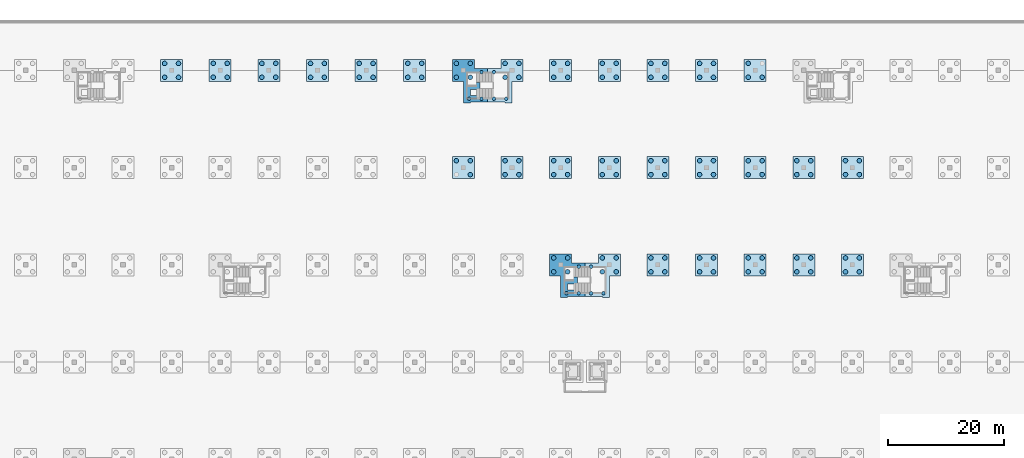
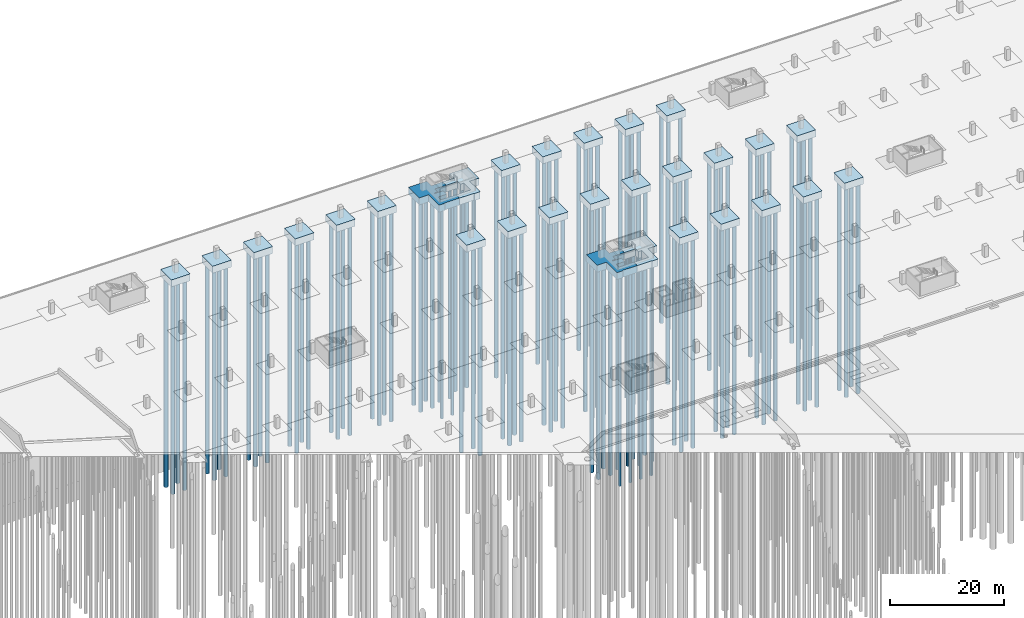
# One storey, part 23 of 67: 126 piles, 29 footings.
"""IFC4 building model written with IfcOpenShell, lengths in metres."""

from ifc_helpers import new_model, si_unit, direction, frame, origin, origin_2d, place, context, subcontext, project, spatial, polyline, circle, outline, extrude, material, material_profile, profile_set, type_object, element, save


model = new_model("IFC4")

# Units and contexts
model_context = context("Model", 3, precision=1e-05, world=origin(), true_north=direction((0.0, 1.0)))
body_context = subcontext(model_context, "Body", "Model", "MODEL_VIEW")
ifc_project = project(units=[si_unit("LENGTHUNIT", "METRE"), si_unit("AREAUNIT", "SQUARE_METRE"), si_unit("VOLUMEUNIT", "CUBIC_METRE"), si_unit("PLANEANGLEUNIT", "RADIAN"), si_unit("MASSUNIT", "GRAM", prefix="KILO")], contexts=[model_context])

# Site, building, storey
site_placement = place(None, origin())
site = spatial("IfcSite", under=ifc_project, at=site_placement, CompositionType="ELEMENT")
building_placement = place(site_placement, origin())
building = spatial("IfcBuilding", under=site, at=building_placement, Name="Rain Tree Exposition and Congress Centre", CompositionType="ELEMENT")
storey_placement = place(building_placement, frame((0.0, 0.0, -3.0)))
storey = spatial("IfcBuildingStorey", under=building, at=storey_placement, Name="B1", CompositionType="ELEMENT", Elevation=-3.0)

# Piles
ifc_material_1 = material(Name="Concrete C35/45", Category="concrete")
ifc_material_profile_1 = material_profile(ifc_material_1, circle(Radius=0.300048828125, at=origin_2d()), Name="D600")
ifc_profile_set_1 = profile_set([ifc_material_profile_1], Name="Concrete C35/45")
pile_type_1 = type_object("IfcPileType", Name="Bored pile D600", PredefinedType="BORED", material=ifc_profile_set_1)
for number, where, z_axis, x_axis, name in (
    (1, (127.0, 247.10009765625, -1.425048828125), (0.0, 0.0, -1.0), (1.0, 0.0, 0.0), "Bored pile 0845"),
    (2, (129.13330078125, 247.10009765625, -1.425048828125), (0.0, 0.0, -1.0), (1.0, 0.0, 0.0), "Bored pile 0848"),
    (3, (129.13330078125, 251.699951171875, -1.425048828125), (0.0, 0.0, -1.0), (1.0, 0.0, 0.0), "Bored pile 0849"),
    (4, (131.2666015625, 247.10009765625, -1.425048828125), (0.0, 0.0, -1.0), (1.0, 0.0, 0.0), "Bored pile 0850"),
    (5, (131.2666015625, 251.699951171875, -1.425048828125), (0.0, 0.0, -1.0), (1.0, 0.0, 0.0), "Bored pile 0851"),
    (6, (133.39990234375, 247.10009765625, -1.425048828125), (0.0, 0.0, -1.0), (1.0, 0.0, 0.0), "Bored pile 0854"),
    (7, (110.199951171875, 280.699951171875, -1.425048828125), (0.0, 0.0, -1.0), (1.0, 0.0, 0.0), "Bored pile 0879"),
    (8, (112.333251953125, 280.699951171875, -1.425048828125), (0.0, 0.0, -1.0), (1.0, 0.0, 0.0), "Bored pile 0882"),
    (9, (112.333251953125, 285.300048828125, -1.425048828125), (0.0, 0.0, -1.0), (1.0, 0.0, 0.0), "Bored pile 0883"),
    (10, (114.466796875, 280.699951171875, -1.425048828125), (0.0, 0.0, -1.0), (1.0, 0.0, 0.0), "Bored pile 0884"),
    (11, (114.466796875, 285.300048828125, -1.425048828125), (0.0, 0.0, -1.0), (1.0, 0.0, 0.0), "Bored pile 0885"),
    (12, (116.60009765625, 280.699951171875, -1.425048828125), (0.0, 0.0, -1.0), (1.0, 0.0, 0.0), "Bored pile 0888"),
):
    element("IfcPile", number, at=place(storey_placement, frame(where, z_axis=z_axis, x_axis=x_axis)), inside=storey, type_object=pile_type_1, Name=name, PredefinedType="BORED", context=body_context, shape_type="SweptSolid", body=[
        extrude(circle(Radius=0.300048828125, at=origin_2d()), origin(), (0.0, 0.0, 1.0), 45.074951171875),
    ])
ifc_material_2 = material(Name="Concrete C35/45", Category="concrete")
ifc_material_profile_2 = material_profile(ifc_material_2, circle(Radius=0.39990234375, at=origin_2d()), Name="D800")
ifc_profile_set_2 = profile_set([ifc_material_profile_2], Name="Concrete C35/45")
pile_type_2 = type_object("IfcPileType", Name="Bored pile D800", PredefinedType="BORED", material=ifc_profile_set_2)
for number, where, z_axis, x_axis, name in (
    (13, (57.60009765625, 284.39990234375, -1.425048828125), (0.0, 0.0, -1.0), (1.0, 0.0, 0.0), "Bored pile 0529"),
    (14, (60.0, 284.39990234375, -1.425048828125), (0.0, 0.0, -1.0), (1.0, 0.0, 0.0), "Bored pile 0530"),
    (15, (57.60009765625, 286.800048828125, -1.425048828125), (0.0, 0.0, -1.0), (1.0, 0.0, 0.0), "Bored pile 0531"),
    (16, (60.0, 286.800048828125, -1.425048828125), (0.0, 0.0, -1.0), (1.0, 0.0, 0.0), "Bored pile 0532"),
    (17, (66.0, 284.39990234375, -1.425048828125), (0.0, 0.0, -1.0), (1.0, 0.0, 0.0), "Bored pile 0533"),
    (18, (68.39990234375, 284.39990234375, -1.425048828125), (0.0, 0.0, -1.0), (1.0, 0.0, 0.0), "Bored pile 0534"),
    (19, (66.0, 286.800048828125, -1.425048828125), (0.0, 0.0, -1.0), (1.0, 0.0, 0.0), "Bored pile 0535"),
    (20, (68.39990234375, 286.800048828125, -1.425048828125), (0.0, 0.0, -1.0), (1.0, 0.0, 0.0), "Bored pile 0536"),
    (21, (74.39990234375, 284.39990234375, -1.425048828125), (0.0, 0.0, -1.0), (1.0, 0.0, 0.0), "Bored pile 0694"),
    (22, (76.800048828125, 284.39990234375, -1.425048828125), (0.0, 0.0, -1.0), (1.0, 0.0, 0.0), "Bored pile 0695"),
    (23, (74.39990234375, 286.800048828125, -1.425048828125), (0.0, 0.0, -1.0), (1.0, 0.0, 0.0), "Bored pile 0696"),
    (24, (76.800048828125, 286.800048828125, -1.425048828125), (0.0, 0.0, -1.0), (1.0, 0.0, 0.0), "Bored pile 0697"),
    (25, (82.800048828125, 284.39990234375, -1.425048828125), (0.0, 0.0, -1.0), (1.0, 0.0, 0.0), "Bored pile 0698"),
    (26, (85.199951171875, 284.39990234375, -1.425048828125), (0.0, 0.0, -1.0), (1.0, 0.0, 0.0), "Bored pile 0699"),
    (27, (82.800048828125, 286.800048828125, -1.425048828125), (0.0, 0.0, -1.0), (1.0, 0.0, 0.0), "Bored pile 0700"),
    (28, (85.199951171875, 286.800048828125, -1.425048828125), (0.0, 0.0, -1.0), (1.0, 0.0, 0.0), "Bored pile 0701"),
    (29, (99.60009765625, 284.39990234375, -1.425048828125), (0.0, 0.0, -1.0), (1.0, 0.0, 0.0), "Bored pile 0702"),
    (30, (102.0, 284.39990234375, -1.425048828125), (0.0, 0.0, -1.0), (1.0, 0.0, 0.0), "Bored pile 0703"),
    (31, (99.60009765625, 286.800048828125, -1.425048828125), (0.0, 0.0, -1.0), (1.0, 0.0, 0.0), "Bored pile 0704"),
    (32, (102.0, 286.800048828125, -1.425048828125), (0.0, 0.0, -1.0), (1.0, 0.0, 0.0), "Bored pile 0705"),
    (33, (91.199951171875, 284.39990234375, -1.425048828125), (0.0, 0.0, -1.0), (1.0, 0.0, 0.0), "Bored pile 0706"),
    (34, (93.60009765625, 284.39990234375, -1.425048828125), (0.0, 0.0, -1.0), (1.0, 0.0, 0.0), "Bored pile 0707"),
    (35, (91.199951171875, 286.800048828125, -1.425048828125), (0.0, 0.0, -1.0), (1.0, 0.0, 0.0), "Bored pile 0708"),
    (36, (93.60009765625, 286.800048828125, -1.425048828125), (0.0, 0.0, -1.0), (1.0, 0.0, 0.0), "Bored pile 0709"),
    (37, (124.800048828125, 250.800048828125, -1.425048828125), (0.0, 0.0, -1.0), (1.0, 0.0, 0.0), "Bored pile 0843"),
    (38, (124.800048828125, 253.199951171875, -1.425048828125), (0.0, 0.0, -1.0), (1.0, 0.0, 0.0), "Bored pile 0844"),
    (39, (127.199951171875, 250.800048828125, -1.425048828125), (0.0, 0.0, -1.0), (1.0, 0.0, 0.0), "Bored pile 0846"),
    (40, (127.199951171875, 253.199951171875, -1.425048828125), (0.0, 0.0, -1.0), (1.0, 0.0, 0.0), "Bored pile 0847"),
    (41, (133.199951171875, 250.800048828125, -1.425048828125), (0.0, 0.0, -1.0), (1.0, 0.0, 0.0), "Bored pile 0852"),
    (42, (133.199951171875, 253.199951171875, -1.425048828125), (0.0, 0.0, -1.0), (1.0, 0.0, 0.0), "Bored pile 0853"),
    (43, (135.60009765625, 250.800048828125, -1.425048828125), (0.0, 0.0, -1.0), (1.0, 0.0, 0.0), "Bored pile 0855"),
    (44, (135.60009765625, 253.199951171875, -1.425048828125), (0.0, 0.0, -1.0), (1.0, 0.0, 0.0), "Bored pile 0856"),
    (45, (124.800048828125, 267.60009765625, -1.425048828125), (0.0, 0.0, -1.0), (1.0, 0.0, 0.0), "Bored pile 0865"),
    (46, (127.199951171875, 267.60009765625, -1.425048828125), (0.0, 0.0, -1.0), (1.0, 0.0, 0.0), "Bored pile 0866"),
    (47, (124.800048828125, 270.0, -1.425048828125), (0.0, 0.0, -1.0), (1.0, 0.0, 0.0), "Bored pile 0867"),
    (48, (127.199951171875, 270.0, -1.425048828125), (0.0, 0.0, -1.0), (1.0, 0.0, 0.0), "Bored pile 0868"),
    (49, (110.39990234375, 267.60009765625, -1.425048828125), (0.0, 0.0, -1.0), (1.0, 0.0, 0.0), "Bored pile 0870"),
    (50, (108.0, 270.0, -1.425048828125), (0.0, 0.0, -1.0), (1.0, 0.0, 0.0), "Bored pile 0871"),
    (51, (110.39990234375, 270.0, -1.425048828125), (0.0, 0.0, -1.0), (1.0, 0.0, 0.0), "Bored pile 0872"),
    (52, (116.39990234375, 267.60009765625, -1.425048828125), (0.0, 0.0, -1.0), (1.0, 0.0, 0.0), "Bored pile 0873"),
    (53, (118.800048828125, 267.60009765625, -1.425048828125), (0.0, 0.0, -1.0), (1.0, 0.0, 0.0), "Bored pile 0874"),
    (54, (116.39990234375, 270.0, -1.425048828125), (0.0, 0.0, -1.0), (1.0, 0.0, 0.0), "Bored pile 0875"),
    (55, (118.800048828125, 270.0, -1.425048828125), (0.0, 0.0, -1.0), (1.0, 0.0, 0.0), "Bored pile 0876"),
    (56, (108.0, 284.39990234375, -1.425048828125), (0.0, 0.0, -1.0), (1.0, 0.0, 0.0), "Bored pile 0877"),
    (57, (108.0, 286.800048828125, -1.425048828125), (0.0, 0.0, -1.0), (1.0, 0.0, 0.0), "Bored pile 0878"),
    (58, (110.39990234375, 284.39990234375, -1.425048828125), (0.0, 0.0, -1.0), (1.0, 0.0, 0.0), "Bored pile 0880"),
    (59, (110.39990234375, 286.800048828125, -1.425048828125), (0.0, 0.0, -1.0), (1.0, 0.0, 0.0), "Bored pile 0881"),
    (60, (116.39990234375, 284.39990234375, -1.425048828125), (0.0, 0.0, -1.0), (1.0, 0.0, 0.0), "Bored pile 0886"),
    (61, (116.39990234375, 286.800048828125, -1.425048828125), (0.0, 0.0, -1.0), (1.0, 0.0, 0.0), "Bored pile 0887"),
    (62, (118.800048828125, 284.39990234375, -1.425048828125), (0.0, 0.0, -1.0), (1.0, 0.0, 0.0), "Bored pile 0889"),
    (63, (118.800048828125, 286.800048828125, -1.425048828125), (0.0, 0.0, -1.0), (1.0, 0.0, 0.0), "Bored pile 0890"),
    (64, (124.800048828125, 284.39990234375, -1.425048828125), (0.0, 0.0, -1.0), (1.0, 0.0, 0.0), "Bored pile 0891"),
    (65, (127.199951171875, 284.39990234375, -1.425048828125), (0.0, 0.0, -1.0), (1.0, 0.0, 0.0), "Bored pile 0892"),
    (66, (124.800048828125, 286.800048828125, -1.425048828125), (0.0, 0.0, -1.0), (1.0, 0.0, 0.0), "Bored pile 0893"),
    (67, (127.199951171875, 286.800048828125, -1.425048828125), (0.0, 0.0, -1.0), (1.0, 0.0, 0.0), "Bored pile 0894"),
    (68, (150.0, 250.800048828125, -1.425048828125), (0.0, 0.0, -1.0), (1.0, 0.0, 0.0), "Bored pile 1053"),
    (69, (152.39990234375, 250.800048828125, -1.425048828125), (0.0, 0.0, -1.0), (1.0, 0.0, 0.0), "Bored pile 1054"),
    (70, (150.0, 253.199951171875, -1.425048828125), (0.0, 0.0, -1.0), (1.0, 0.0, 0.0), "Bored pile 1055"),
    (71, (152.39990234375, 253.199951171875, -1.425048828125), (0.0, 0.0, -1.0), (1.0, 0.0, 0.0), "Bored pile 1056"),
    (72, (158.39990234375, 250.800048828125, -1.425048828125), (0.0, 0.0, -1.0), (1.0, 0.0, 0.0), "Bored pile 1057"),
    (73, (160.800048828125, 250.800048828125, -1.425048828125), (0.0, 0.0, -1.0), (1.0, 0.0, 0.0), "Bored pile 1058"),
    (74, (158.39990234375, 253.199951171875, -1.425048828125), (0.0, 0.0, -1.0), (1.0, 0.0, 0.0), "Bored pile 1059"),
    (75, (160.800048828125, 253.199951171875, -1.425048828125), (0.0, 0.0, -1.0), (1.0, 0.0, 0.0), "Bored pile 1060"),
    (76, (141.60009765625, 250.800048828125, -1.425048828125), (0.0, 0.0, -1.0), (1.0, 0.0, 0.0), "Bored pile 1061"),
    (77, (144.0, 250.800048828125, -1.425048828125), (0.0, 0.0, -1.0), (1.0, 0.0, 0.0), "Bored pile 1062"),
    (78, (141.60009765625, 253.199951171875, -1.425048828125), (0.0, 0.0, -1.0), (1.0, 0.0, 0.0), "Bored pile 1063"),
    (79, (144.0, 253.199951171875, -1.425048828125), (0.0, 0.0, -1.0), (1.0, 0.0, 0.0), "Bored pile 1064"),
    (80, (133.199951171875, 267.60009765625, -1.425048828125), (0.0, 0.0, -1.0), (1.0, 0.0, 0.0), "Bored pile 1065"),
    (81, (135.60009765625, 267.60009765625, -1.425048828125), (0.0, 0.0, -1.0), (1.0, 0.0, 0.0), "Bored pile 1066"),
    (82, (133.199951171875, 270.0, -1.425048828125), (0.0, 0.0, -1.0), (1.0, 0.0, 0.0), "Bored pile 1067"),
    (83, (135.60009765625, 270.0, -1.425048828125), (0.0, 0.0, -1.0), (1.0, 0.0, 0.0), "Bored pile 1068"),
    (84, (158.39990234375, 267.60009765625, -1.425048828125), (0.0, 0.0, -1.0), (1.0, 0.0, 0.0), "Bored pile 1069"),
    (85, (160.800048828125, 267.60009765625, -1.425048828125), (0.0, 0.0, -1.0), (1.0, 0.0, 0.0), "Bored pile 1070"),
    (86, (158.39990234375, 270.0, -1.425048828125), (0.0, 0.0, -1.0), (1.0, 0.0, 0.0), "Bored pile 1071"),
    (87, (160.800048828125, 270.0, -1.425048828125), (0.0, 0.0, -1.0), (1.0, 0.0, 0.0), "Bored pile 1072"),
    (88, (141.60009765625, 267.60009765625, -1.425048828125), (0.0, 0.0, -1.0), (1.0, 0.0, 0.0), "Bored pile 1073"),
    (89, (144.0, 267.60009765625, -1.425048828125), (0.0, 0.0, -1.0), (1.0, 0.0, 0.0), "Bored pile 1074"),
    (90, (141.60009765625, 270.0, -1.425048828125), (0.0, 0.0, -1.0), (1.0, 0.0, 0.0), "Bored pile 1075"),
    (91, (144.0, 270.0, -1.425048828125), (0.0, 0.0, -1.0), (1.0, 0.0, 0.0), "Bored pile 1076"),
    (92, (150.0, 267.60009765625, -1.425048828125), (0.0, 0.0, -1.0), (1.0, 0.0, 0.0), "Bored pile 1077"),
    (93, (152.39990234375, 267.60009765625, -1.425048828125), (0.0, 0.0, -1.0), (1.0, 0.0, 0.0), "Bored pile 1078"),
    (94, (150.0, 270.0, -1.425048828125), (0.0, 0.0, -1.0), (1.0, 0.0, 0.0), "Bored pile 1079"),
    (95, (152.39990234375, 270.0, -1.425048828125), (0.0, 0.0, -1.0), (1.0, 0.0, 0.0), "Bored pile 1080"),
    (96, (133.199951171875, 284.39990234375, -1.425048828125), (0.0, 0.0, -1.0), (1.0, 0.0, 0.0), "Bored pile 1081"),
    (97, (135.60009765625, 284.39990234375, -1.425048828125), (0.0, 0.0, -1.0), (1.0, 0.0, 0.0), "Bored pile 1082"),
    (98, (133.199951171875, 286.800048828125, -1.425048828125), (0.0, 0.0, -1.0), (1.0, 0.0, 0.0), "Bored pile 1083"),
    (99, (135.60009765625, 286.800048828125, -1.425048828125), (0.0, 0.0, -1.0), (1.0, 0.0, 0.0), "Bored pile 1084"),
    (100, (141.60009765625, 284.39990234375, -1.425048828125), (0.0, 0.0, -1.0), (1.0, 0.0, 0.0), "Bored pile 1085"),
    (101, (144.0, 284.39990234375, -1.425048828125), (0.0, 0.0, -1.0), (1.0, 0.0, 0.0), "Bored pile 1086"),
    (102, (141.60009765625, 286.800048828125, -1.425048828125), (0.0, 0.0, -1.0), (1.0, 0.0, 0.0), "Bored pile 1087"),
    (103, (144.0, 286.800048828125, -1.425048828125), (0.0, 0.0, -1.0), (1.0, 0.0, 0.0), "Bored pile 1088"),
    (104, (150.0, 284.39990234375, -1.425048828125), (0.0, 0.0, -1.0), (1.0, 0.0, 0.0), "Bored pile 1089"),
    (105, (152.39990234375, 284.39990234375, -1.425048828125), (0.0, 0.0, -1.0), (1.0, 0.0, 0.0), "Bored pile 1090"),
    (106, (150.0, 286.800048828125, -1.425048828125), (0.0, 0.0, -1.0), (1.0, 0.0, 0.0), "Bored pile 1091"),
    (107, (152.39990234375, 286.800048828125, -1.425048828125), (0.0, 0.0, -1.0), (1.0, 0.0, 0.0), "Bored pile 1092"),
    (108, (158.39990234375, 284.39990234375, -1.425048828125), (0.0, 0.0, -1.0), (1.0, 0.0, 0.0), "Bored pile 1093"),
    (109, (160.800048828125, 284.39990234375, -1.425048828125), (0.0, 0.0, -1.0), (1.0, 0.0, 0.0), "Bored pile 1094"),
    (110, (158.39990234375, 286.800048828125, -1.425048828125), (0.0, 0.0, -1.0), (1.0, 0.0, 0.0), "Bored pile 1095"),
    (111, (175.199951171875, 250.800048828125, -1.425048828125), (0.0, 0.0, -1.0), (1.0, 0.0, 0.0), "Bored pile 1240"),
    (112, (177.60009765625, 250.800048828125, -1.425048828125), (0.0, 0.0, -1.0), (1.0, 0.0, 0.0), "Bored pile 1241"),
    (113, (175.199951171875, 253.199951171875, -1.425048828125), (0.0, 0.0, -1.0), (1.0, 0.0, 0.0), "Bored pile 1242"),
    (114, (177.60009765625, 253.199951171875, -1.425048828125), (0.0, 0.0, -1.0), (1.0, 0.0, 0.0), "Bored pile 1243"),
    (115, (166.800048828125, 250.800048828125, -1.425048828125), (0.0, 0.0, -1.0), (1.0, 0.0, 0.0), "Bored pile 1244"),
    (116, (169.199951171875, 250.800048828125, -1.425048828125), (0.0, 0.0, -1.0), (1.0, 0.0, 0.0), "Bored pile 1245"),
    (117, (166.800048828125, 253.199951171875, -1.425048828125), (0.0, 0.0, -1.0), (1.0, 0.0, 0.0), "Bored pile 1246"),
    (118, (169.199951171875, 253.199951171875, -1.425048828125), (0.0, 0.0, -1.0), (1.0, 0.0, 0.0), "Bored pile 1247"),
    (119, (166.800048828125, 267.60009765625, -1.425048828125), (0.0, 0.0, -1.0), (1.0, 0.0, 0.0), "Bored pile 1276"),
    (120, (169.199951171875, 267.60009765625, -1.425048828125), (0.0, 0.0, -1.0), (1.0, 0.0, 0.0), "Bored pile 1277"),
    (121, (166.800048828125, 270.0, -1.425048828125), (0.0, 0.0, -1.0), (1.0, 0.0, 0.0), "Bored pile 1278"),
    (122, (169.199951171875, 270.0, -1.425048828125), (0.0, 0.0, -1.0), (1.0, 0.0, 0.0), "Bored pile 1279"),
    (123, (175.199951171875, 267.60009765625, -1.425048828125), (0.0, 0.0, -1.0), (1.0, 0.0, 0.0), "Bored pile 1280"),
    (124, (177.60009765625, 267.60009765625, -1.425048828125), (0.0, 0.0, -1.0), (1.0, 0.0, 0.0), "Bored pile 1281"),
    (125, (175.199951171875, 270.0, -1.425048828125), (0.0, 0.0, -1.0), (1.0, 0.0, 0.0), "Bored pile 1282"),
    (126, (177.60009765625, 270.0, -1.425048828125), (0.0, 0.0, -1.0), (1.0, 0.0, 0.0), "Bored pile 1283"),
):
    element("IfcPile", number, at=place(storey_placement, frame(where, z_axis=z_axis, x_axis=x_axis)), inside=storey, type_object=pile_type_2, Name=name, PredefinedType="BORED", context=body_context, shape_type="SweptSolid", body=[
        extrude(circle(Radius=0.39990234375, at=origin_2d()), origin(), (0.0, 0.0, 1.0), 45.074951171875),
    ])

# Footings
ifc_material_3 = material(Name="Concrete C35/45", Category="concrete")
footing_type_1 = type_object("IfcFootingType", Name="Pile cap 1500 thick", PredefinedType="PILE_CAP", material=ifc_material_3)
footing_1_placement = place(storey_placement, frame((0.0, 0.0, -1.5)))
element("IfcFooting", 127, at=footing_1_placement, inside=storey, type_object=footing_type_1, Name="Pile cap 100", PredefinedType="PILE_CAP", context=body_context, shape_type="SweptSolid", body=[
    extrude(outline(polyline([(60.699951171875, 283.699951171875), (60.699951171875, 287.5), (56.89990234375, 287.5), (56.89990234375, 283.699951171875), (60.699951171875, 283.699951171875)])), origin(), (0.0, 0.0, 1.0), 1.5),
])
footing_2_placement = place(storey_placement, frame((0.0, 0.0, -1.5)))
element("IfcFooting", 128, at=footing_2_placement, inside=storey, type_object=footing_type_1, Name="Pile cap 101", PredefinedType="PILE_CAP", context=body_context, shape_type="SweptSolid", body=[
    extrude(outline(polyline([(69.10009765625, 283.699951171875), (69.10009765625, 287.5), (65.300048828125, 287.5), (65.300048828125, 283.699951171875), (69.10009765625, 283.699951171875)])), origin(), (0.0, 0.0, 1.0), 1.5),
])
footing_3_placement = place(storey_placement, frame((0.0, 0.0, -1.5)))
element("IfcFooting", 129, at=footing_3_placement, inside=storey, type_object=footing_type_1, Name="Pile cap 140", PredefinedType="PILE_CAP", context=body_context, shape_type="SweptSolid", body=[
    extrude(outline(polyline([(77.5, 283.699951171875), (77.5, 287.5), (73.699951171875, 287.5), (73.699951171875, 283.699951171875), (77.5, 283.699951171875)])), origin(), (0.0, 0.0, 1.0), 1.5),
])
footing_4_placement = place(storey_placement, frame((0.0, 0.0, -1.5)))
element("IfcFooting", 130, at=footing_4_placement, inside=storey, type_object=footing_type_1, Name="Pile cap 141", PredefinedType="PILE_CAP", context=body_context, shape_type="SweptSolid", body=[
    extrude(outline(polyline([(85.89990234375, 283.699951171875), (85.89990234375, 287.5), (82.10009765625, 287.5), (82.10009765625, 283.699951171875), (85.89990234375, 283.699951171875)])), origin(), (0.0, 0.0, 1.0), 1.5),
])
footing_5_placement = place(storey_placement, frame((0.0, 0.0, -1.5)))
element("IfcFooting", 131, at=footing_5_placement, inside=storey, type_object=footing_type_1, Name="Pile cap 142", PredefinedType="PILE_CAP", context=body_context, shape_type="SweptSolid", body=[
    extrude(outline(polyline([(102.699951171875, 283.699951171875), (102.699951171875, 287.5), (98.89990234375, 287.5), (98.89990234375, 283.699951171875), (102.699951171875, 283.699951171875)])), origin(), (0.0, 0.0, 1.0), 1.5),
])
footing_6_placement = place(storey_placement, frame((0.0, 0.0, -1.5)))
element("IfcFooting", 132, at=footing_6_placement, inside=storey, type_object=footing_type_1, Name="Pile cap 143", PredefinedType="PILE_CAP", context=body_context, shape_type="SweptSolid", body=[
    extrude(outline(polyline([(94.300048828125, 283.699951171875), (94.300048828125, 287.5), (90.5, 287.5), (90.5, 283.699951171875), (94.300048828125, 283.699951171875)])), origin(), (0.0, 0.0, 1.0), 1.5),
])
footing_7_placement = place(storey_placement, frame((0.0, 0.0, -1.5)))
element("IfcFooting", 133, at=footing_7_placement, inside=storey, type_object=footing_type_1, Name="Pile cap 164", PredefinedType="PILE_CAP", context=body_context, shape_type="SweptSolid", body=[
    extrude(outline(polyline([(127.89990234375, 266.89990234375), (127.89990234375, 270.699951171875), (124.10009765625, 270.699951171875), (124.10009765625, 266.89990234375), (127.89990234375, 266.89990234375)])), origin(), (0.0, 0.0, 1.0), 1.5),
])
footing_8_placement = place(storey_placement, frame((0.0, 0.0, -1.5)))
element("IfcFooting", 134, at=footing_8_placement, inside=storey, type_object=footing_type_1, Name="Pile cap 165", PredefinedType="PILE_CAP", context=body_context, shape_type="SweptSolid", body=[
    extrude(outline(polyline([(111.10009765625, 266.89990234375), (111.10009765625, 270.699951171875), (107.300048828125, 270.699951171875), (107.300048828125, 266.89990234375), (111.10009765625, 266.89990234375)])), origin(), (0.0, 0.0, 1.0), 1.5),
])
footing_9_placement = place(storey_placement, frame((0.0, 0.0, -1.5)))
element("IfcFooting", 135, at=footing_9_placement, inside=storey, type_object=footing_type_1, Name="Pile cap 166", PredefinedType="PILE_CAP", context=body_context, shape_type="SweptSolid", body=[
    extrude(outline(polyline([(119.5, 266.89990234375), (119.5, 270.699951171875), (115.699951171875, 270.699951171875), (115.699951171875, 266.89990234375), (119.5, 266.89990234375)])), origin(), (0.0, 0.0, 1.0), 1.5),
])
footing_10_placement = place(storey_placement, frame((0.0, 0.0, -1.5)))
element("IfcFooting", 136, at=footing_10_placement, inside=storey, type_object=footing_type_1, Name="Pile cap 167", PredefinedType="PILE_CAP", context=body_context, shape_type="SweptSolid", body=[
    extrude(outline(polyline([(127.89990234375, 283.699951171875), (127.89990234375, 287.5), (124.10009765625, 287.5), (124.10009765625, 283.699951171875), (127.89990234375, 283.699951171875)])), origin(), (0.0, 0.0, 1.0), 1.5),
])
footing_11_placement = place(storey_placement, frame((0.0, 0.0, -1.5)))
element("IfcFooting", 137, at=footing_11_placement, inside=storey, type_object=footing_type_1, Name="Pile cap 205", PredefinedType="PILE_CAP", context=body_context, shape_type="SweptSolid", body=[
    extrude(outline(polyline([(153.10009765625, 250.10009765625), (153.10009765625, 253.89990234375), (149.300048828125, 253.89990234375), (149.300048828125, 250.10009765625), (153.10009765625, 250.10009765625)])), origin(), (0.0, 0.0, 1.0), 1.5),
])
footing_12_placement = place(storey_placement, frame((0.0, 0.0, -1.5)))
element("IfcFooting", 138, at=footing_12_placement, inside=storey, type_object=footing_type_1, Name="Pile cap 206", PredefinedType="PILE_CAP", context=body_context, shape_type="SweptSolid", body=[
    extrude(outline(polyline([(161.5, 250.10009765625), (161.5, 253.89990234375), (157.699951171875, 253.89990234375), (157.699951171875, 250.10009765625), (161.5, 250.10009765625)])), origin(), (0.0, 0.0, 1.0), 1.5),
])
footing_13_placement = place(storey_placement, frame((0.0, 0.0, -1.5)))
element("IfcFooting", 139, at=footing_13_placement, inside=storey, type_object=footing_type_1, Name="Pile cap 207", PredefinedType="PILE_CAP", context=body_context, shape_type="SweptSolid", body=[
    extrude(outline(polyline([(144.699951171875, 250.10009765625), (144.699951171875, 253.89990234375), (140.89990234375, 253.89990234375), (140.89990234375, 250.10009765625), (144.699951171875, 250.10009765625)])), origin(), (0.0, 0.0, 1.0), 1.5),
])
footing_14_placement = place(storey_placement, frame((0.0, 0.0, -1.5)))
element("IfcFooting", 140, at=footing_14_placement, inside=storey, type_object=footing_type_1, Name="Pile cap 208", PredefinedType="PILE_CAP", context=body_context, shape_type="SweptSolid", body=[
    extrude(outline(polyline([(136.300048828125, 266.89990234375), (136.300048828125, 270.699951171875), (132.5, 270.699951171875), (132.5, 266.89990234375), (136.300048828125, 266.89990234375)])), origin(), (0.0, 0.0, 1.0), 1.5),
])
footing_15_placement = place(storey_placement, frame((0.0, 0.0, -1.5)))
element("IfcFooting", 141, at=footing_15_placement, inside=storey, type_object=footing_type_1, Name="Pile cap 209", PredefinedType="PILE_CAP", context=body_context, shape_type="SweptSolid", body=[
    extrude(outline(polyline([(161.5, 266.89990234375), (161.5, 270.699951171875), (157.699951171875, 270.699951171875), (157.699951171875, 266.89990234375), (161.5, 266.89990234375)])), origin(), (0.0, 0.0, 1.0), 1.5),
])
footing_16_placement = place(storey_placement, frame((0.0, 0.0, -1.5)))
element("IfcFooting", 142, at=footing_16_placement, inside=storey, type_object=footing_type_1, Name="Pile cap 210", PredefinedType="PILE_CAP", context=body_context, shape_type="SweptSolid", body=[
    extrude(outline(polyline([(144.699951171875, 266.89990234375), (144.699951171875, 270.699951171875), (140.89990234375, 270.699951171875), (140.89990234375, 266.89990234375), (144.699951171875, 266.89990234375)])), origin(), (0.0, 0.0, 1.0), 1.5),
])
footing_17_placement = place(storey_placement, frame((0.0, 0.0, -1.5)))
element("IfcFooting", 143, at=footing_17_placement, inside=storey, type_object=footing_type_1, Name="Pile cap 211", PredefinedType="PILE_CAP", context=body_context, shape_type="SweptSolid", body=[
    extrude(outline(polyline([(153.10009765625, 266.89990234375), (153.10009765625, 270.699951171875), (149.300048828125, 270.699951171875), (149.300048828125, 266.89990234375), (153.10009765625, 266.89990234375)])), origin(), (0.0, 0.0, 1.0), 1.5),
])
footing_18_placement = place(storey_placement, frame((0.0, 0.0, -1.5)))
element("IfcFooting", 144, at=footing_18_placement, inside=storey, type_object=footing_type_1, Name="Pile cap 212", PredefinedType="PILE_CAP", context=body_context, shape_type="SweptSolid", body=[
    extrude(outline(polyline([(136.300048828125, 283.699951171875), (136.300048828125, 287.5), (132.5, 287.5), (132.5, 283.699951171875), (136.300048828125, 283.699951171875)])), origin(), (0.0, 0.0, 1.0), 1.5),
])
footing_19_placement = place(storey_placement, frame((0.0, 0.0, -1.5)))
element("IfcFooting", 145, at=footing_19_placement, inside=storey, type_object=footing_type_1, Name="Pile cap 213", PredefinedType="PILE_CAP", context=body_context, shape_type="SweptSolid", body=[
    extrude(outline(polyline([(144.699951171875, 283.699951171875), (144.699951171875, 287.5), (140.89990234375, 287.5), (140.89990234375, 283.699951171875), (144.699951171875, 283.699951171875)])), origin(), (0.0, 0.0, 1.0), 1.5),
])
footing_20_placement = place(storey_placement, frame((0.0, 0.0, -1.5)))
element("IfcFooting", 146, at=footing_20_placement, inside=storey, type_object=footing_type_1, Name="Pile cap 214", PredefinedType="PILE_CAP", context=body_context, shape_type="SweptSolid", body=[
    extrude(outline(polyline([(153.10009765625, 283.699951171875), (153.10009765625, 287.5), (149.300048828125, 287.5), (149.300048828125, 283.699951171875), (153.10009765625, 283.699951171875)])), origin(), (0.0, 0.0, 1.0), 1.5),
])
footing_21_placement = place(storey_placement, frame((0.0, 0.0, -1.5)))
element("IfcFooting", 147, at=footing_21_placement, inside=storey, type_object=footing_type_1, Name="Pile cap 215", PredefinedType="PILE_CAP", context=body_context, shape_type="SweptSolid", body=[
    extrude(outline(polyline([(161.5, 283.699951171875), (161.5, 287.5), (157.699951171875, 287.5), (157.699951171875, 283.699951171875), (161.5, 283.699951171875)])), origin(), (0.0, 0.0, 1.0), 1.5),
])
footing_22_placement = place(storey_placement, frame((0.0, 0.0, -1.5)))
element("IfcFooting", 148, at=footing_22_placement, inside=storey, type_object=footing_type_1, Name="Pile cap 243", PredefinedType="PILE_CAP", context=body_context, shape_type="SweptSolid", body=[
    extrude(outline(polyline([(178.300048828125, 250.10009765625), (178.300048828125, 253.89990234375), (174.5, 253.89990234375), (174.5, 250.10009765625), (178.300048828125, 250.10009765625)])), origin(), (0.0, 0.0, 1.0), 1.5),
])
footing_23_placement = place(storey_placement, frame((0.0, 0.0, -1.5)))
element("IfcFooting", 149, at=footing_23_placement, inside=storey, type_object=footing_type_1, Name="Pile cap 244", PredefinedType="PILE_CAP", context=body_context, shape_type="SweptSolid", body=[
    extrude(outline(polyline([(169.89990234375, 250.10009765625), (169.89990234375, 253.89990234375), (166.10009765625, 253.89990234375), (166.10009765625, 250.10009765625), (169.89990234375, 250.10009765625)])), origin(), (0.0, 0.0, 1.0), 1.5),
])
footing_24_placement = place(storey_placement, frame((0.0, 0.0, -1.5)))
element("IfcFooting", 150, at=footing_24_placement, inside=storey, type_object=footing_type_1, Name="Pile cap 252", PredefinedType="PILE_CAP", context=body_context, shape_type="SweptSolid", body=[
    extrude(outline(polyline([(169.89990234375, 266.89990234375), (169.89990234375, 270.699951171875), (166.10009765625, 270.699951171875), (166.10009765625, 266.89990234375), (169.89990234375, 266.89990234375)])), origin(), (0.0, 0.0, 1.0), 1.5),
])
footing_25_placement = place(storey_placement, frame((0.0, 0.0, -1.5)))
element("IfcFooting", 151, at=footing_25_placement, inside=storey, type_object=footing_type_1, Name="Pile cap 253", PredefinedType="PILE_CAP", context=body_context, shape_type="SweptSolid", body=[
    extrude(outline(polyline([(178.300048828125, 266.89990234375), (178.300048828125, 270.699951171875), (174.5, 270.699951171875), (174.5, 266.89990234375), (178.300048828125, 266.89990234375)])), origin(), (0.0, 0.0, 1.0), 1.5),
])
ifc_material_4 = material(Name="Concrete C35/45", Category="concrete")
footing_type_2 = type_object("IfcFootingType", Name="Strip footing 1500 thick", PredefinedType="STRIP_FOOTING", material=ifc_material_4)
footing_26_placement = place(storey_placement, frame((0.0, 0.0, -1.5)))
element("IfcFooting", 152, at=footing_26_placement, inside=storey, type_object=footing_type_2, Name="Strip footing 026", PredefinedType="STRIP_FOOTING", context=body_context, shape_type="SweptSolid", body=[
    extrude(outline(polyline([(127.199951171875, 246.39990234375), (127.199951171875, 246.5), (130.199951171875, 246.5), (130.199951171875, 247.699951171875), (127.199951171875, 247.699951171875), (127.199951171875, 248.699951171875), (128.89990234375, 248.699951171875), (128.89990234375, 249.89990234375), (128.300048828125, 249.89990234375), (127.199951171875, 249.89990234375), (127.199951171875, 250.10009765625), (127.89990234375, 250.10009765625), (127.89990234375, 251.10009765625), (130.199951171875, 251.10009765625), (130.199951171875, 252.300048828125), (127.89990234375, 252.300048828125), (127.89990234375, 253.89990234375), (124.10009765625, 253.89990234375), (124.10009765625, 250.10009765625), (126.0, 250.10009765625), (126.0, 246.39990234375), (127.199951171875, 246.39990234375)])), origin(), (0.0, 0.0, 1.0), 1.5),
])
footing_27_placement = place(storey_placement, frame((0.0, 0.0, -1.5)))
element("IfcFooting", 153, at=footing_27_placement, inside=storey, type_object=footing_type_2, Name="Strip footing 027", PredefinedType="STRIP_FOOTING", context=body_context, shape_type="SweptSolid", body=[
    extrude(outline(polyline([(132.5, 252.300048828125), (130.199951171875, 252.300048828125), (130.199951171875, 251.10009765625), (132.5, 251.10009765625), (132.5, 250.10009765625), (133.199951171875, 250.10009765625), (133.199951171875, 247.699951171875), (130.199951171875, 247.699951171875), (130.199951171875, 246.5), (133.199951171875, 246.5), (133.199951171875, 246.39990234375), (134.39990234375, 246.39990234375), (134.39990234375, 247.0), (134.39990234375, 250.10009765625), (136.300048828125, 250.10009765625), (136.300048828125, 253.89990234375), (132.5, 253.89990234375), (132.5, 252.300048828125)])), origin(), (0.0, 0.0, 1.0), 1.5),
])
footing_28_placement = place(storey_placement, frame((0.0, 0.0, -1.5)))
element("IfcFooting", 154, at=footing_28_placement, inside=storey, type_object=footing_type_2, Name="Strip footing 028", PredefinedType="STRIP_FOOTING", context=body_context, shape_type="SweptSolid", body=[
    extrude(outline(polyline([(110.39990234375, 280.0), (110.39990234375, 280.10009765625), (113.39990234375, 280.10009765625), (113.39990234375, 281.300048828125), (110.39990234375, 281.300048828125), (110.39990234375, 282.300048828125), (112.10009765625, 282.300048828125), (112.10009765625, 283.5), (111.5, 283.5), (110.39990234375, 283.5), (110.39990234375, 283.699951171875), (111.10009765625, 283.699951171875), (111.10009765625, 284.699951171875), (113.39990234375, 284.699951171875), (113.39990234375, 285.89990234375), (111.10009765625, 285.89990234375), (111.10009765625, 287.5), (107.300048828125, 287.5), (107.300048828125, 283.699951171875), (109.199951171875, 283.699951171875), (109.199951171875, 280.0), (110.39990234375, 280.0)])), origin(), (0.0, 0.0, 1.0), 1.5),
])
footing_29_placement = place(storey_placement, frame((0.0, 0.0, -1.5)))
element("IfcFooting", 155, at=footing_29_placement, inside=storey, type_object=footing_type_2, Name="Strip footing 029", PredefinedType="STRIP_FOOTING", context=body_context, shape_type="SweptSolid", body=[
    extrude(outline(polyline([(115.699951171875, 285.89990234375), (113.39990234375, 285.89990234375), (113.39990234375, 284.699951171875), (115.699951171875, 284.699951171875), (115.699951171875, 283.699951171875), (116.39990234375, 283.699951171875), (116.39990234375, 281.300048828125), (113.39990234375, 281.300048828125), (113.39990234375, 280.10009765625), (116.39990234375, 280.10009765625), (116.39990234375, 280.0), (117.60009765625, 280.0), (117.60009765625, 280.60009765625), (117.60009765625, 283.699951171875), (119.5, 283.699951171875), (119.5, 287.5), (115.699951171875, 287.5), (115.699951171875, 285.89990234375)])), origin(), (0.0, 0.0, 1.0), 1.5),
])

save(model, "model.ifc")
